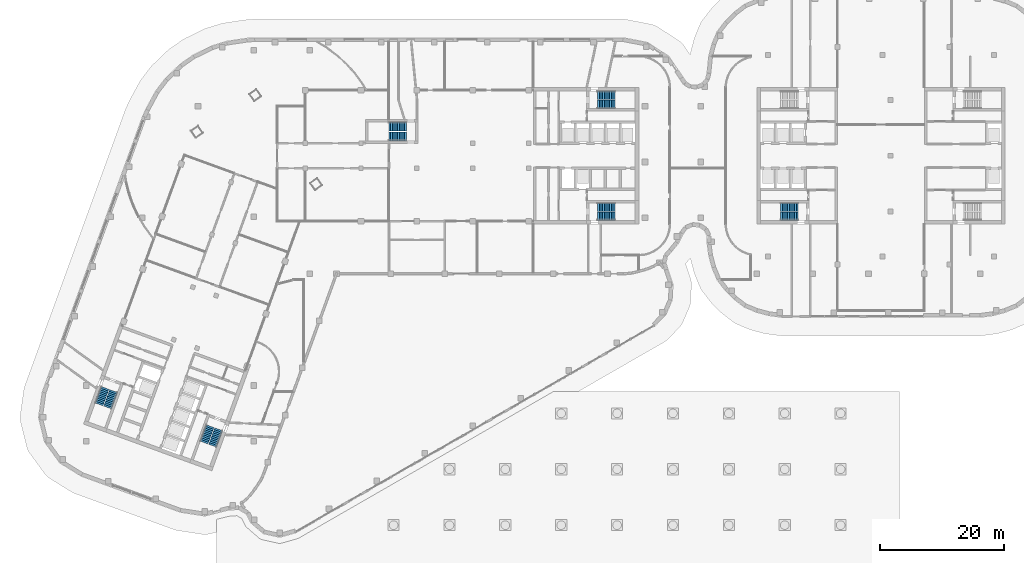
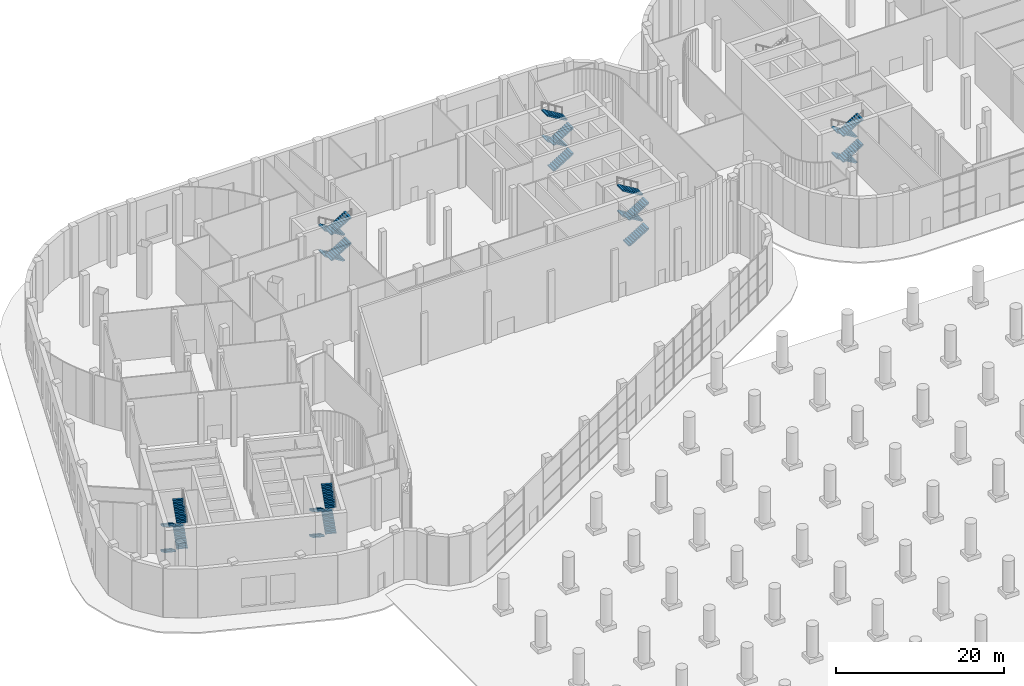
# One storey, part 25 of 30: 24 stair flights, 6 elements without a shape of their own.
"""IFC4 building model written with IfcOpenShell, lengths in metres."""

from ifc_helpers import new_model, si_unit, direction, frame, origin, place, context, subcontext, project, spatial, polyline, outline, extrude, material, type_object, element, aggregate, save


model = new_model("IFC4")

# Units and contexts
model_context = context("Model", 3, precision=1e-05, world=origin(), true_north=direction((0.0, 1.0)))
body_context = subcontext(model_context, "Body", "Model", "MODEL_VIEW")
ifc_project = project(units=[si_unit("LENGTHUNIT", "METRE"), si_unit("AREAUNIT", "SQUARE_METRE"), si_unit("VOLUMEUNIT", "CUBIC_METRE"), si_unit("PLANEANGLEUNIT", "RADIAN"), si_unit("MASSUNIT", "GRAM", prefix="KILO")], contexts=[model_context])

# Site, building, storey
site_placement = place(None, origin())
site = spatial("IfcSite", under=ifc_project, at=site_placement, CompositionType="ELEMENT")
building_placement = place(site_placement, origin())
building = spatial("IfcBuilding", under=site, at=building_placement, Name="Skarvind Civic Tower", CompositionType="ELEMENT")
storey_placement = place(building_placement, origin())
storey = spatial("IfcBuildingStorey", under=building, at=storey_placement, Name="L00", CompositionType="ELEMENT", Elevation=0.0)

# Stair, stair flights
ifc_material = material(Name="Concrete C40/50", Category="concrete")
stair_type_1 = type_object("IfcStairType", Name="Exit stair 1450, half-turn, concrete", PredefinedType="HALF_TURN_STAIR", material=ifc_material)
stair_1_placement = place(storey_placement, origin())
stair_1 = element("IfcStair", 1, at=stair_1_placement, inside=storey, type_object=stair_type_1, Name="Exit stair CM", PredefinedType="HALF_TURN_STAIR")
stair_flight_type_1 = type_object("IfcStairFlightType", Name="Stair flight 1450, concrete", PredefinedType="STRAIGHT", material=ifc_material)
stair_flight_1_placement = place(storey_placement, frame((70.550048828125, 132.675048828125, 0.0), z_axis=(0.0, 0.0, 1.0), x_axis=(-1.0, 0.0, 0.0)))
stair_flight_1 = element("IfcStairFlight", 2, at=stair_flight_1_placement, type_object=stair_flight_type_1, Name="ST-CM flight 1", NumberOfRisers=11, NumberOfTreads=10, PredefinedType="STRAIGHT", RiserHeight=0.170454545, TreadLength=0.28, context=body_context, shape_type="SweptSolid", body=[
    extrude(outline(polyline([(0.0, 0.0), (0.0, 0.17041015625), (0.280029296875, 0.17041015625), (0.280029296875, 0.3408203125), (0.56005859375, 0.3408203125), (0.56005859375, 0.511474609375), (0.840087890625, 0.511474609375), (0.840087890625, 0.681884765625), (1.1201171875, 0.681884765625), (1.1201171875, 0.852294921875), (1.39990234375, 0.852294921875), (1.39990234375, 1.022705078125), (1.679931640625, 1.022705078125), (1.679931640625, 1.193115234375), (1.9599609375, 1.193115234375), (1.9599609375, 1.363525390625), (2.239990234375, 1.363525390625), (2.239990234375, 1.5341796875), (2.52001953125, 1.5341796875), (2.52001953125, 1.70458984375), (2.800048828125, 1.70458984375), (2.800048828125, 1.875), (2.800048828125, 1.529052734375), (0.288330078125, 0.0), (0.0, 0.0)])), frame((0.0, 0.72509765625, 0.0), z_axis=(0.0, -1.0, 0.0), x_axis=(1.0, 0.0, 0.0)), (0.0, 0.0, 1.0), 1.449951171875),
])
stair_flight_2_placement = place(storey_placement, frame((67.75, 131.125, 1.875), z_axis=(0.0, 0.0, 1.0), x_axis=(1.0, 0.0, 0.0)))
stair_flight_2 = element("IfcStairFlight", 3, at=stair_flight_2_placement, type_object=stair_flight_type_1, Name="ST-CM flight 2", NumberOfRisers=11, NumberOfTreads=10, PredefinedType="STRAIGHT", RiserHeight=0.170454545, TreadLength=0.28, context=body_context, shape_type="SweptSolid", body=[
    extrude(outline(polyline([(0.0, 0.0), (0.0, 0.17041015625), (0.280029296875, 0.17041015625), (0.280029296875, 0.3408203125), (0.56005859375, 0.3408203125), (0.56005859375, 0.511474609375), (0.840087890625, 0.511474609375), (0.840087890625, 0.681884765625), (1.1201171875, 0.681884765625), (1.1201171875, 0.852294921875), (1.39990234375, 0.852294921875), (1.39990234375, 1.022705078125), (1.679931640625, 1.022705078125), (1.679931640625, 1.193115234375), (1.9599609375, 1.193115234375), (1.9599609375, 1.363525390625), (2.239990234375, 1.363525390625), (2.239990234375, 1.5341796875), (2.52001953125, 1.5341796875), (2.52001953125, 1.70458984375), (2.800048828125, 1.70458984375), (2.800048828125, 1.875), (2.800048828125, 1.529052734375), (0.288330078125, 0.0), (0.0, 0.0)])), frame((0.0, 0.72509765625, 0.0), z_axis=(0.0, -1.0, 0.0), x_axis=(1.0, 0.0, 0.0)), (0.0, 0.0, 1.0), 1.449951171875),
])
stair_flight_3_placement = place(storey_placement, frame((70.550048828125, 132.675048828125, 3.75), z_axis=(0.0, 0.0, 1.0), x_axis=(-1.0, 0.0, 0.0)))
stair_flight_3 = element("IfcStairFlight", 4, at=stair_flight_3_placement, type_object=stair_flight_type_1, Name="ST-CM flight 3", NumberOfRisers=11, NumberOfTreads=10, PredefinedType="STRAIGHT", RiserHeight=0.170454545, TreadLength=0.28, context=body_context, shape_type="SweptSolid", body=[
    extrude(outline(polyline([(0.0, 0.0), (0.0, 0.17041015625), (0.280029296875, 0.17041015625), (0.280029296875, 0.3408203125), (0.56005859375, 0.3408203125), (0.56005859375, 0.511474609375), (0.840087890625, 0.511474609375), (0.840087890625, 0.681884765625), (1.1201171875, 0.681884765625), (1.1201171875, 0.852294921875), (1.39990234375, 0.852294921875), (1.39990234375, 1.022705078125), (1.679931640625, 1.022705078125), (1.679931640625, 1.193115234375), (1.9599609375, 1.193115234375), (1.9599609375, 1.363525390625), (2.239990234375, 1.363525390625), (2.239990234375, 1.5341796875), (2.52001953125, 1.5341796875), (2.52001953125, 1.70458984375), (2.800048828125, 1.70458984375), (2.800048828125, 1.875), (2.800048828125, 1.529052734375), (0.288330078125, 0.0), (0.0, 0.0)])), frame((0.0, 0.72509765625, 0.0), z_axis=(0.0, -1.0, 0.0), x_axis=(1.0, 0.0, 0.0)), (0.0, 0.0, 1.0), 1.449951171875),
])
stair_flight_4_placement = place(storey_placement, frame((67.75, 131.125, 5.625), z_axis=(0.0, 0.0, 1.0), x_axis=(1.0, 0.0, 0.0)))
stair_flight_4 = element("IfcStairFlight", 5, at=stair_flight_4_placement, type_object=stair_flight_type_1, Name="ST-CM flight 4", NumberOfRisers=11, NumberOfTreads=10, PredefinedType="STRAIGHT", RiserHeight=0.170454545, TreadLength=0.28, context=body_context, shape_type="SweptSolid", body=[
    extrude(outline(polyline([(0.0, 0.0), (0.0, 0.17041015625), (0.280029296875, 0.17041015625), (0.280029296875, 0.3408203125), (0.56005859375, 0.3408203125), (0.56005859375, 0.511474609375), (0.840087890625, 0.511474609375), (0.840087890625, 0.681884765625), (1.1201171875, 0.681884765625), (1.1201171875, 0.852294921875), (1.39990234375, 0.852294921875), (1.39990234375, 1.022705078125), (1.679931640625, 1.022705078125), (1.679931640625, 1.193115234375), (1.9599609375, 1.193115234375), (1.9599609375, 1.363525390625), (2.239990234375, 1.363525390625), (2.239990234375, 1.5341796875), (2.52001953125, 1.5341796875), (2.52001953125, 1.70458984375), (2.800048828125, 1.70458984375), (2.800048828125, 1.875), (2.800048828125, 1.529052734375), (0.288330078125, 0.0), (0.0, 0.0)])), frame((0.0, 0.72509765625, 0.0), z_axis=(0.0, -1.0, 0.0), x_axis=(1.0, 0.0, 0.0)), (0.0, 0.0, 1.0), 1.449951171875),
])
aggregate(stair_1, [stair_flight_1, stair_flight_2, stair_flight_3, stair_flight_4])

stair_type_2 = type_object("IfcStairType", Name="Exit stair, half-turn, concrete", PredefinedType="HALF_TURN_STAIR", material=ifc_material)
stair_2_placement = place(storey_placement, origin())
stair_2 = element("IfcStair", 6, at=stair_2_placement, inside=storey, type_object=stair_type_2, Name="Exit stair C1S", PredefinedType="HALF_TURN_STAIR")
stair_flight_type_2 = type_object("IfcStairFlightType", Name="Stair flight, concrete", PredefinedType="STRAIGHT", material=ifc_material)
stair_flight_5_placement = place(storey_placement, frame((101.35009765625, 136.27490234375, 0.0), z_axis=(0.0, 0.0, 1.0), x_axis=(1.0, 0.0, 0.0)))
stair_flight_5 = element("IfcStairFlight", 7, at=stair_flight_5_placement, type_object=stair_flight_type_2, Name="ST-C1S flight 1", NumberOfRisers=11, NumberOfTreads=10, PredefinedType="STRAIGHT", RiserHeight=0.170454545, TreadLength=0.28, context=body_context, shape_type="SweptSolid", body=[
    extrude(outline(polyline([(0.0, 0.0), (0.0, 0.17041015625), (0.280029296875, 0.17041015625), (0.280029296875, 0.3408203125), (0.56005859375, 0.3408203125), (0.56005859375, 0.511474609375), (0.840087890625, 0.511474609375), (0.840087890625, 0.681884765625), (1.1201171875, 0.681884765625), (1.1201171875, 0.852294921875), (1.39990234375, 0.852294921875), (1.39990234375, 1.022705078125), (1.679931640625, 1.022705078125), (1.679931640625, 1.193115234375), (1.9599609375, 1.193115234375), (1.9599609375, 1.363525390625), (2.239990234375, 1.363525390625), (2.239990234375, 1.5341796875), (2.52001953125, 1.5341796875), (2.52001953125, 1.70458984375), (2.800048828125, 1.70458984375), (2.800048828125, 1.875), (2.800048828125, 1.529052734375), (0.288330078125, 0.0), (0.0, 0.0)])), frame((0.0, 0.675048828125, 0.0), z_axis=(0.0, -1.0, 0.0), x_axis=(1.0, 0.0, 0.0)), (0.0, 0.0, 1.0), 1.35009765625),
])
stair_flight_6_placement = place(storey_placement, frame((104.14990234375, 137.72509765625, 1.875), z_axis=(0.0, 0.0, 1.0), x_axis=(-1.0, 0.0, 0.0)))
stair_flight_6 = element("IfcStairFlight", 8, at=stair_flight_6_placement, type_object=stair_flight_type_2, Name="ST-C1S flight 2", NumberOfRisers=11, NumberOfTreads=10, PredefinedType="STRAIGHT", RiserHeight=0.170454545, TreadLength=0.28, context=body_context, shape_type="SweptSolid", body=[
    extrude(outline(polyline([(0.0, 0.0), (0.0, 0.17041015625), (0.280029296875, 0.17041015625), (0.280029296875, 0.3408203125), (0.56005859375, 0.3408203125), (0.56005859375, 0.511474609375), (0.840087890625, 0.511474609375), (0.840087890625, 0.681884765625), (1.1201171875, 0.681884765625), (1.1201171875, 0.852294921875), (1.39990234375, 0.852294921875), (1.39990234375, 1.022705078125), (1.679931640625, 1.022705078125), (1.679931640625, 1.193115234375), (1.9599609375, 1.193115234375), (1.9599609375, 1.363525390625), (2.239990234375, 1.363525390625), (2.239990234375, 1.5341796875), (2.52001953125, 1.5341796875), (2.52001953125, 1.70458984375), (2.800048828125, 1.70458984375), (2.800048828125, 1.875), (2.800048828125, 1.529052734375), (0.288330078125, 0.0), (0.0, 0.0)])), frame((0.0, 0.675048828125, 0.0), z_axis=(0.0, -1.0, 0.0), x_axis=(1.0, 0.0, 0.0)), (0.0, 0.0, 1.0), 1.35009765625),
])
stair_flight_7_placement = place(storey_placement, frame((101.35009765625, 136.27490234375, 3.75), z_axis=(0.0, 0.0, 1.0), x_axis=(1.0, 0.0, 0.0)))
stair_flight_7 = element("IfcStairFlight", 9, at=stair_flight_7_placement, type_object=stair_flight_type_2, Name="ST-C1S flight 3", NumberOfRisers=11, NumberOfTreads=10, PredefinedType="STRAIGHT", RiserHeight=0.170454545, TreadLength=0.28, context=body_context, shape_type="SweptSolid", body=[
    extrude(outline(polyline([(0.0, 0.0), (0.0, 0.17041015625), (0.280029296875, 0.17041015625), (0.280029296875, 0.3408203125), (0.56005859375, 0.3408203125), (0.56005859375, 0.511474609375), (0.840087890625, 0.511474609375), (0.840087890625, 0.681884765625), (1.1201171875, 0.681884765625), (1.1201171875, 0.852294921875), (1.39990234375, 0.852294921875), (1.39990234375, 1.022705078125), (1.679931640625, 1.022705078125), (1.679931640625, 1.193115234375), (1.9599609375, 1.193115234375), (1.9599609375, 1.363525390625), (2.239990234375, 1.363525390625), (2.239990234375, 1.5341796875), (2.52001953125, 1.5341796875), (2.52001953125, 1.70458984375), (2.800048828125, 1.70458984375), (2.800048828125, 1.875), (2.800048828125, 1.529052734375), (0.288330078125, 0.0), (0.0, 0.0)])), frame((0.0, 0.675048828125, 0.0), z_axis=(0.0, -1.0, 0.0), x_axis=(1.0, 0.0, 0.0)), (0.0, 0.0, 1.0), 1.35009765625),
])
stair_flight_8_placement = place(storey_placement, frame((104.14990234375, 137.72509765625, 5.625), z_axis=(0.0, 0.0, 1.0), x_axis=(-1.0, 0.0, 0.0)))
stair_flight_8 = element("IfcStairFlight", 10, at=stair_flight_8_placement, type_object=stair_flight_type_2, Name="ST-C1S flight 4", NumberOfRisers=11, NumberOfTreads=10, PredefinedType="STRAIGHT", RiserHeight=0.170454545, TreadLength=0.28, context=body_context, shape_type="SweptSolid", body=[
    extrude(outline(polyline([(0.0, 0.0), (0.0, 0.17041015625), (0.280029296875, 0.17041015625), (0.280029296875, 0.3408203125), (0.56005859375, 0.3408203125), (0.56005859375, 0.511474609375), (0.840087890625, 0.511474609375), (0.840087890625, 0.681884765625), (1.1201171875, 0.681884765625), (1.1201171875, 0.852294921875), (1.39990234375, 0.852294921875), (1.39990234375, 1.022705078125), (1.679931640625, 1.022705078125), (1.679931640625, 1.193115234375), (1.9599609375, 1.193115234375), (1.9599609375, 1.363525390625), (2.239990234375, 1.363525390625), (2.239990234375, 1.5341796875), (2.52001953125, 1.5341796875), (2.52001953125, 1.70458984375), (2.800048828125, 1.70458984375), (2.800048828125, 1.875), (2.800048828125, 1.529052734375), (0.288330078125, 0.0), (0.0, 0.0)])), frame((0.0, 0.675048828125, 0.0), z_axis=(0.0, -1.0, 0.0), x_axis=(1.0, 0.0, 0.0)), (0.0, 0.0, 1.0), 1.35009765625),
])
aggregate(stair_2, [stair_flight_5, stair_flight_6, stair_flight_7, stair_flight_8])

stair_3_placement = place(storey_placement, origin())
stair_3 = element("IfcStair", 11, at=stair_3_placement, inside=storey, type_object=stair_type_2, Name="Exit stair C1N", PredefinedType="HALF_TURN_STAIR")
stair_flight_9_placement = place(storey_placement, frame((101.35009765625, 118.27490234375, 0.0), z_axis=(0.0, 0.0, 1.0), x_axis=(1.0, 0.0, 0.0)))
stair_flight_9 = element("IfcStairFlight", 12, at=stair_flight_9_placement, type_object=stair_flight_type_2, Name="ST-C1N flight 1", NumberOfRisers=11, NumberOfTreads=10, PredefinedType="STRAIGHT", RiserHeight=0.170454545, TreadLength=0.28, context=body_context, shape_type="SweptSolid", body=[
    extrude(outline(polyline([(0.0, 0.0), (0.0, 0.17041015625), (0.280029296875, 0.17041015625), (0.280029296875, 0.3408203125), (0.56005859375, 0.3408203125), (0.56005859375, 0.511474609375), (0.840087890625, 0.511474609375), (0.840087890625, 0.681884765625), (1.1201171875, 0.681884765625), (1.1201171875, 0.852294921875), (1.39990234375, 0.852294921875), (1.39990234375, 1.022705078125), (1.679931640625, 1.022705078125), (1.679931640625, 1.193115234375), (1.9599609375, 1.193115234375), (1.9599609375, 1.363525390625), (2.239990234375, 1.363525390625), (2.239990234375, 1.5341796875), (2.52001953125, 1.5341796875), (2.52001953125, 1.70458984375), (2.800048828125, 1.70458984375), (2.800048828125, 1.875), (2.800048828125, 1.529052734375), (0.288330078125, 0.0), (0.0, 0.0)])), frame((0.0, 0.675048828125, 0.0), z_axis=(0.0, -1.0, 0.0), x_axis=(1.0, 0.0, 0.0)), (0.0, 0.0, 1.0), 1.35009765625),
])
stair_flight_10_placement = place(storey_placement, frame((104.14990234375, 119.72509765625, 1.875), z_axis=(0.0, 0.0, 1.0), x_axis=(-1.0, 0.0, 0.0)))
stair_flight_10 = element("IfcStairFlight", 13, at=stair_flight_10_placement, type_object=stair_flight_type_2, Name="ST-C1N flight 2", NumberOfRisers=11, NumberOfTreads=10, PredefinedType="STRAIGHT", RiserHeight=0.170454545, TreadLength=0.28, context=body_context, shape_type="SweptSolid", body=[
    extrude(outline(polyline([(0.0, 0.0), (0.0, 0.17041015625), (0.280029296875, 0.17041015625), (0.280029296875, 0.3408203125), (0.56005859375, 0.3408203125), (0.56005859375, 0.511474609375), (0.840087890625, 0.511474609375), (0.840087890625, 0.681884765625), (1.1201171875, 0.681884765625), (1.1201171875, 0.852294921875), (1.39990234375, 0.852294921875), (1.39990234375, 1.022705078125), (1.679931640625, 1.022705078125), (1.679931640625, 1.193115234375), (1.9599609375, 1.193115234375), (1.9599609375, 1.363525390625), (2.239990234375, 1.363525390625), (2.239990234375, 1.5341796875), (2.52001953125, 1.5341796875), (2.52001953125, 1.70458984375), (2.800048828125, 1.70458984375), (2.800048828125, 1.875), (2.800048828125, 1.529052734375), (0.288330078125, 0.0), (0.0, 0.0)])), frame((0.0, 0.675048828125, 0.0), z_axis=(0.0, -1.0, 0.0), x_axis=(1.0, 0.0, 0.0)), (0.0, 0.0, 1.0), 1.35009765625),
])
stair_flight_11_placement = place(storey_placement, frame((101.35009765625, 118.27490234375, 3.75), z_axis=(0.0, 0.0, 1.0), x_axis=(1.0, 0.0, 0.0)))
stair_flight_11 = element("IfcStairFlight", 14, at=stair_flight_11_placement, type_object=stair_flight_type_2, Name="ST-C1N flight 3", NumberOfRisers=11, NumberOfTreads=10, PredefinedType="STRAIGHT", RiserHeight=0.170454545, TreadLength=0.28, context=body_context, shape_type="SweptSolid", body=[
    extrude(outline(polyline([(0.0, 0.0), (0.0, 0.17041015625), (0.280029296875, 0.17041015625), (0.280029296875, 0.3408203125), (0.56005859375, 0.3408203125), (0.56005859375, 0.511474609375), (0.840087890625, 0.511474609375), (0.840087890625, 0.681884765625), (1.1201171875, 0.681884765625), (1.1201171875, 0.852294921875), (1.39990234375, 0.852294921875), (1.39990234375, 1.022705078125), (1.679931640625, 1.022705078125), (1.679931640625, 1.193115234375), (1.9599609375, 1.193115234375), (1.9599609375, 1.363525390625), (2.239990234375, 1.363525390625), (2.239990234375, 1.5341796875), (2.52001953125, 1.5341796875), (2.52001953125, 1.70458984375), (2.800048828125, 1.70458984375), (2.800048828125, 1.875), (2.800048828125, 1.529052734375), (0.288330078125, 0.0), (0.0, 0.0)])), frame((0.0, 0.675048828125, 0.0), z_axis=(0.0, -1.0, 0.0), x_axis=(1.0, 0.0, 0.0)), (0.0, 0.0, 1.0), 1.35009765625),
])
stair_flight_12_placement = place(storey_placement, frame((104.14990234375, 119.72509765625, 5.625), z_axis=(0.0, 0.0, 1.0), x_axis=(-1.0, 0.0, 0.0)))
stair_flight_12 = element("IfcStairFlight", 15, at=stair_flight_12_placement, type_object=stair_flight_type_2, Name="ST-C1N flight 4", NumberOfRisers=11, NumberOfTreads=10, PredefinedType="STRAIGHT", RiserHeight=0.170454545, TreadLength=0.28, context=body_context, shape_type="SweptSolid", body=[
    extrude(outline(polyline([(0.0, 0.0), (0.0, 0.17041015625), (0.280029296875, 0.17041015625), (0.280029296875, 0.3408203125), (0.56005859375, 0.3408203125), (0.56005859375, 0.511474609375), (0.840087890625, 0.511474609375), (0.840087890625, 0.681884765625), (1.1201171875, 0.681884765625), (1.1201171875, 0.852294921875), (1.39990234375, 0.852294921875), (1.39990234375, 1.022705078125), (1.679931640625, 1.022705078125), (1.679931640625, 1.193115234375), (1.9599609375, 1.193115234375), (1.9599609375, 1.363525390625), (2.239990234375, 1.363525390625), (2.239990234375, 1.5341796875), (2.52001953125, 1.5341796875), (2.52001953125, 1.70458984375), (2.800048828125, 1.70458984375), (2.800048828125, 1.875), (2.800048828125, 1.529052734375), (0.288330078125, 0.0), (0.0, 0.0)])), frame((0.0, 0.675048828125, 0.0), z_axis=(0.0, -1.0, 0.0), x_axis=(1.0, 0.0, 0.0)), (0.0, 0.0, 1.0), 1.35009765625),
])
aggregate(stair_3, [stair_flight_9, stair_flight_10, stair_flight_11, stair_flight_12])

stair_4_placement = place(storey_placement, origin())
stair_4 = element("IfcStair", 16, at=stair_4_placement, inside=storey, type_object=stair_type_2, Name="Exit stair C2S", PredefinedType="HALF_TURN_STAIR")
stair_flight_13_placement = place(storey_placement, frame((38.949462890625, 84.43408203125, 0.0), z_axis=(0.0, 0.0, 1.0), x_axis=(-0.342020143326, -0.939692620786, 0.0)))
stair_flight_13 = element("IfcStairFlight", 17, at=stair_flight_13_placement, type_object=stair_flight_type_2, Name="ST-C2S flight 1", NumberOfRisers=11, NumberOfTreads=10, PredefinedType="STRAIGHT", RiserHeight=0.170454545, TreadLength=0.28, context=body_context, shape_type="SweptSolid", body=[
    extrude(outline(polyline([(0.0, 0.0), (0.0, 0.17041015625), (0.280029296875, 0.17041015625), (0.280029296875, 0.3408203125), (0.56005859375, 0.3408203125), (0.56005859375, 0.511474609375), (0.840087890625, 0.511474609375), (0.840087890625, 0.681884765625), (1.1201171875, 0.681884765625), (1.1201171875, 0.852294921875), (1.39990234375, 0.852294921875), (1.39990234375, 1.022705078125), (1.679931640625, 1.022705078125), (1.679931640625, 1.193115234375), (1.9599609375, 1.193115234375), (1.9599609375, 1.363525390625), (2.239990234375, 1.363525390625), (2.239990234375, 1.5341796875), (2.52001953125, 1.5341796875), (2.52001953125, 1.70458984375), (2.800048828125, 1.70458984375), (2.800048828125, 1.875), (2.800048828125, 1.529052734375), (0.288330078125, 0.0), (0.0, 0.0)])), frame((0.0, 0.675048828125, 0.0), z_axis=(0.0, -1.0, 0.0), x_axis=(1.0, 0.0, 0.0)), (0.0, 0.0, 1.0), 1.35009765625),
])
stair_flight_14_placement = place(storey_placement, frame((39.354248046875, 81.30712890625, 1.875), z_axis=(0.0, 0.0, 1.0), x_axis=(0.342020143326, 0.939692620786, 0.0)))
stair_flight_14 = element("IfcStairFlight", 18, at=stair_flight_14_placement, type_object=stair_flight_type_2, Name="ST-C2S flight 2", NumberOfRisers=11, NumberOfTreads=10, PredefinedType="STRAIGHT", RiserHeight=0.170454545, TreadLength=0.28, context=body_context, shape_type="SweptSolid", body=[
    extrude(outline(polyline([(0.0, 0.0), (0.0, 0.17041015625), (0.280029296875, 0.17041015625), (0.280029296875, 0.3408203125), (0.56005859375, 0.3408203125), (0.56005859375, 0.511474609375), (0.840087890625, 0.511474609375), (0.840087890625, 0.681884765625), (1.1201171875, 0.681884765625), (1.1201171875, 0.852294921875), (1.39990234375, 0.852294921875), (1.39990234375, 1.022705078125), (1.679931640625, 1.022705078125), (1.679931640625, 1.193115234375), (1.9599609375, 1.193115234375), (1.9599609375, 1.363525390625), (2.239990234375, 1.363525390625), (2.239990234375, 1.5341796875), (2.52001953125, 1.5341796875), (2.52001953125, 1.70458984375), (2.800048828125, 1.70458984375), (2.800048828125, 1.875), (2.800048828125, 1.529052734375), (0.288330078125, 0.0), (0.0, 0.0)])), frame((0.0, 0.675048828125, 0.0), z_axis=(0.0, -1.0, 0.0), x_axis=(1.0, 0.0, 0.0)), (0.0, 0.0, 1.0), 1.35009765625),
])
stair_flight_15_placement = place(storey_placement, frame((38.949462890625, 84.43408203125, 3.75), z_axis=(0.0, 0.0, 1.0), x_axis=(-0.342020143326, -0.939692620786, 0.0)))
stair_flight_15 = element("IfcStairFlight", 19, at=stair_flight_15_placement, type_object=stair_flight_type_2, Name="ST-C2S flight 3", NumberOfRisers=11, NumberOfTreads=10, PredefinedType="STRAIGHT", RiserHeight=0.170454545, TreadLength=0.28, context=body_context, shape_type="SweptSolid", body=[
    extrude(outline(polyline([(0.0, 0.0), (0.0, 0.17041015625), (0.280029296875, 0.17041015625), (0.280029296875, 0.3408203125), (0.56005859375, 0.3408203125), (0.56005859375, 0.511474609375), (0.840087890625, 0.511474609375), (0.840087890625, 0.681884765625), (1.1201171875, 0.681884765625), (1.1201171875, 0.852294921875), (1.39990234375, 0.852294921875), (1.39990234375, 1.022705078125), (1.679931640625, 1.022705078125), (1.679931640625, 1.193115234375), (1.9599609375, 1.193115234375), (1.9599609375, 1.363525390625), (2.239990234375, 1.363525390625), (2.239990234375, 1.5341796875), (2.52001953125, 1.5341796875), (2.52001953125, 1.70458984375), (2.800048828125, 1.70458984375), (2.800048828125, 1.875), (2.800048828125, 1.529052734375), (0.288330078125, 0.0), (0.0, 0.0)])), frame((0.0, 0.675048828125, 0.0), z_axis=(0.0, -1.0, 0.0), x_axis=(1.0, 0.0, 0.0)), (0.0, 0.0, 1.0), 1.35009765625),
])
stair_flight_16_placement = place(storey_placement, frame((39.354248046875, 81.30712890625, 5.625), z_axis=(0.0, 0.0, 1.0), x_axis=(0.342020143326, 0.939692620786, 0.0)))
stair_flight_16 = element("IfcStairFlight", 20, at=stair_flight_16_placement, type_object=stair_flight_type_2, Name="ST-C2S flight 4", NumberOfRisers=11, NumberOfTreads=10, PredefinedType="STRAIGHT", RiserHeight=0.170454545, TreadLength=0.28, context=body_context, shape_type="SweptSolid", body=[
    extrude(outline(polyline([(0.0, 0.0), (0.0, 0.17041015625), (0.280029296875, 0.17041015625), (0.280029296875, 0.3408203125), (0.56005859375, 0.3408203125), (0.56005859375, 0.511474609375), (0.840087890625, 0.511474609375), (0.840087890625, 0.681884765625), (1.1201171875, 0.681884765625), (1.1201171875, 0.852294921875), (1.39990234375, 0.852294921875), (1.39990234375, 1.022705078125), (1.679931640625, 1.022705078125), (1.679931640625, 1.193115234375), (1.9599609375, 1.193115234375), (1.9599609375, 1.363525390625), (2.239990234375, 1.363525390625), (2.239990234375, 1.5341796875), (2.52001953125, 1.5341796875), (2.52001953125, 1.70458984375), (2.800048828125, 1.70458984375), (2.800048828125, 1.875), (2.800048828125, 1.529052734375), (0.288330078125, 0.0), (0.0, 0.0)])), frame((0.0, 0.675048828125, 0.0), z_axis=(0.0, -1.0, 0.0), x_axis=(1.0, 0.0, 0.0)), (0.0, 0.0, 1.0), 1.35009765625),
])
aggregate(stair_4, [stair_flight_13, stair_flight_14, stair_flight_15, stair_flight_16])

stair_5_placement = place(storey_placement, origin())
stair_5 = element("IfcStair", 21, at=stair_5_placement, inside=storey, type_object=stair_type_2, Name="Exit stair C2N", PredefinedType="HALF_TURN_STAIR")
stair_flight_17_placement = place(storey_placement, frame((22.034912109375, 90.590576171875, 0.0), z_axis=(0.0, 0.0, 1.0), x_axis=(-0.342020143326, -0.939692620786, 0.0)))
stair_flight_17 = element("IfcStairFlight", 22, at=stair_flight_17_placement, type_object=stair_flight_type_2, Name="ST-C2N flight 1", NumberOfRisers=11, NumberOfTreads=10, PredefinedType="STRAIGHT", RiserHeight=0.170454545, TreadLength=0.28, context=body_context, shape_type="SweptSolid", body=[
    extrude(outline(polyline([(0.0, 0.0), (0.0, 0.17041015625), (0.280029296875, 0.17041015625), (0.280029296875, 0.3408203125), (0.56005859375, 0.3408203125), (0.56005859375, 0.511474609375), (0.840087890625, 0.511474609375), (0.840087890625, 0.681884765625), (1.1201171875, 0.681884765625), (1.1201171875, 0.852294921875), (1.39990234375, 0.852294921875), (1.39990234375, 1.022705078125), (1.679931640625, 1.022705078125), (1.679931640625, 1.193115234375), (1.9599609375, 1.193115234375), (1.9599609375, 1.363525390625), (2.239990234375, 1.363525390625), (2.239990234375, 1.5341796875), (2.52001953125, 1.5341796875), (2.52001953125, 1.70458984375), (2.800048828125, 1.70458984375), (2.800048828125, 1.875), (2.800048828125, 1.529052734375), (0.288330078125, 0.0), (0.0, 0.0)])), frame((0.0, 0.675048828125, 0.0), z_axis=(0.0, -1.0, 0.0), x_axis=(1.0, 0.0, 0.0)), (0.0, 0.0, 1.0), 1.35009765625),
])
stair_flight_18_placement = place(storey_placement, frame((22.439697265625, 87.46337890625, 1.875), z_axis=(0.0, 0.0, 1.0), x_axis=(0.342020143326, 0.939692620786, 0.0)))
stair_flight_18 = element("IfcStairFlight", 23, at=stair_flight_18_placement, type_object=stair_flight_type_2, Name="ST-C2N flight 2", NumberOfRisers=11, NumberOfTreads=10, PredefinedType="STRAIGHT", RiserHeight=0.170454545, TreadLength=0.28, context=body_context, shape_type="SweptSolid", body=[
    extrude(outline(polyline([(0.0, 0.0), (0.0, 0.17041015625), (0.280029296875, 0.17041015625), (0.280029296875, 0.3408203125), (0.56005859375, 0.3408203125), (0.56005859375, 0.511474609375), (0.840087890625, 0.511474609375), (0.840087890625, 0.681884765625), (1.1201171875, 0.681884765625), (1.1201171875, 0.852294921875), (1.39990234375, 0.852294921875), (1.39990234375, 1.022705078125), (1.679931640625, 1.022705078125), (1.679931640625, 1.193115234375), (1.9599609375, 1.193115234375), (1.9599609375, 1.363525390625), (2.239990234375, 1.363525390625), (2.239990234375, 1.5341796875), (2.52001953125, 1.5341796875), (2.52001953125, 1.70458984375), (2.800048828125, 1.70458984375), (2.800048828125, 1.875), (2.800048828125, 1.529052734375), (0.288330078125, 0.0), (0.0, 0.0)])), frame((0.0, 0.675048828125, 0.0), z_axis=(0.0, -1.0, 0.0), x_axis=(1.0, 0.0, 0.0)), (0.0, 0.0, 1.0), 1.35009765625),
])
stair_flight_19_placement = place(storey_placement, frame((22.034912109375, 90.590576171875, 3.75), z_axis=(0.0, 0.0, 1.0), x_axis=(-0.342020143326, -0.939692620786, 0.0)))
stair_flight_19 = element("IfcStairFlight", 24, at=stair_flight_19_placement, type_object=stair_flight_type_2, Name="ST-C2N flight 3", NumberOfRisers=11, NumberOfTreads=10, PredefinedType="STRAIGHT", RiserHeight=0.170454545, TreadLength=0.28, context=body_context, shape_type="SweptSolid", body=[
    extrude(outline(polyline([(0.0, 0.0), (0.0, 0.17041015625), (0.280029296875, 0.17041015625), (0.280029296875, 0.3408203125), (0.56005859375, 0.3408203125), (0.56005859375, 0.511474609375), (0.840087890625, 0.511474609375), (0.840087890625, 0.681884765625), (1.1201171875, 0.681884765625), (1.1201171875, 0.852294921875), (1.39990234375, 0.852294921875), (1.39990234375, 1.022705078125), (1.679931640625, 1.022705078125), (1.679931640625, 1.193115234375), (1.9599609375, 1.193115234375), (1.9599609375, 1.363525390625), (2.239990234375, 1.363525390625), (2.239990234375, 1.5341796875), (2.52001953125, 1.5341796875), (2.52001953125, 1.70458984375), (2.800048828125, 1.70458984375), (2.800048828125, 1.875), (2.800048828125, 1.529052734375), (0.288330078125, 0.0), (0.0, 0.0)])), frame((0.0, 0.675048828125, 0.0), z_axis=(0.0, -1.0, 0.0), x_axis=(1.0, 0.0, 0.0)), (0.0, 0.0, 1.0), 1.35009765625),
])
stair_flight_20_placement = place(storey_placement, frame((22.439697265625, 87.46337890625, 5.625), z_axis=(0.0, 0.0, 1.0), x_axis=(0.342020143326, 0.939692620786, 0.0)))
stair_flight_20 = element("IfcStairFlight", 25, at=stair_flight_20_placement, type_object=stair_flight_type_2, Name="ST-C2N flight 4", NumberOfRisers=11, NumberOfTreads=10, PredefinedType="STRAIGHT", RiserHeight=0.170454545, TreadLength=0.28, context=body_context, shape_type="SweptSolid", body=[
    extrude(outline(polyline([(0.0, 0.0), (0.0, 0.17041015625), (0.280029296875, 0.17041015625), (0.280029296875, 0.3408203125), (0.56005859375, 0.3408203125), (0.56005859375, 0.511474609375), (0.840087890625, 0.511474609375), (0.840087890625, 0.681884765625), (1.1201171875, 0.681884765625), (1.1201171875, 0.852294921875), (1.39990234375, 0.852294921875), (1.39990234375, 1.022705078125), (1.679931640625, 1.022705078125), (1.679931640625, 1.193115234375), (1.9599609375, 1.193115234375), (1.9599609375, 1.363525390625), (2.239990234375, 1.363525390625), (2.239990234375, 1.5341796875), (2.52001953125, 1.5341796875), (2.52001953125, 1.70458984375), (2.800048828125, 1.70458984375), (2.800048828125, 1.875), (2.800048828125, 1.529052734375), (0.288330078125, 0.0), (0.0, 0.0)])), frame((0.0, 0.675048828125, 0.0), z_axis=(0.0, -1.0, 0.0), x_axis=(1.0, 0.0, 0.0)), (0.0, 0.0, 1.0), 1.35009765625),
])
aggregate(stair_5, [stair_flight_17, stair_flight_18, stair_flight_19, stair_flight_20])

stair_6_placement = place(storey_placement, origin())
stair_6 = element("IfcStair", 26, at=stair_6_placement, inside=storey, type_object=stair_type_2, Name="Exit stair CAS", PredefinedType="HALF_TURN_STAIR")
stair_flight_21_placement = place(storey_placement, frame((133.64990234375, 119.72509765625, 0.0), z_axis=(0.0, 0.0, 1.0), x_axis=(-1.0, 0.0, 0.0)))
stair_flight_21 = element("IfcStairFlight", 27, at=stair_flight_21_placement, type_object=stair_flight_type_2, Name="ST-CAS flight 1", NumberOfRisers=11, NumberOfTreads=10, PredefinedType="STRAIGHT", RiserHeight=0.170454545, TreadLength=0.28, context=body_context, shape_type="SweptSolid", body=[
    extrude(outline(polyline([(0.0, 0.0), (0.0, 0.17041015625), (0.280029296875, 0.17041015625), (0.280029296875, 0.3408203125), (0.56005859375, 0.3408203125), (0.56005859375, 0.511474609375), (0.840087890625, 0.511474609375), (0.840087890625, 0.681884765625), (1.1201171875, 0.681884765625), (1.1201171875, 0.852294921875), (1.39990234375, 0.852294921875), (1.39990234375, 1.022705078125), (1.679931640625, 1.022705078125), (1.679931640625, 1.193115234375), (1.9599609375, 1.193115234375), (1.9599609375, 1.363525390625), (2.239990234375, 1.363525390625), (2.239990234375, 1.5341796875), (2.52001953125, 1.5341796875), (2.52001953125, 1.70458984375), (2.800048828125, 1.70458984375), (2.800048828125, 1.875), (2.800048828125, 1.529052734375), (0.288330078125, 0.0), (0.0, 0.0)])), frame((0.0, 0.675048828125, 0.0), z_axis=(0.0, -1.0, 0.0), x_axis=(1.0, 0.0, 0.0)), (0.0, 0.0, 1.0), 1.35009765625),
])
stair_flight_22_placement = place(storey_placement, frame((130.85009765625, 118.27490234375, 1.875), z_axis=(0.0, 0.0, 1.0), x_axis=(1.0, 0.0, 0.0)))
stair_flight_22 = element("IfcStairFlight", 28, at=stair_flight_22_placement, type_object=stair_flight_type_2, Name="ST-CAS flight 2", NumberOfRisers=11, NumberOfTreads=10, PredefinedType="STRAIGHT", RiserHeight=0.170454545, TreadLength=0.28, context=body_context, shape_type="SweptSolid", body=[
    extrude(outline(polyline([(0.0, 0.0), (0.0, 0.17041015625), (0.280029296875, 0.17041015625), (0.280029296875, 0.3408203125), (0.56005859375, 0.3408203125), (0.56005859375, 0.511474609375), (0.840087890625, 0.511474609375), (0.840087890625, 0.681884765625), (1.1201171875, 0.681884765625), (1.1201171875, 0.852294921875), (1.39990234375, 0.852294921875), (1.39990234375, 1.022705078125), (1.679931640625, 1.022705078125), (1.679931640625, 1.193115234375), (1.9599609375, 1.193115234375), (1.9599609375, 1.363525390625), (2.239990234375, 1.363525390625), (2.239990234375, 1.5341796875), (2.52001953125, 1.5341796875), (2.52001953125, 1.70458984375), (2.800048828125, 1.70458984375), (2.800048828125, 1.875), (2.800048828125, 1.529052734375), (0.288330078125, 0.0), (0.0, 0.0)])), frame((0.0, 0.675048828125, 0.0), z_axis=(0.0, -1.0, 0.0), x_axis=(1.0, 0.0, 0.0)), (0.0, 0.0, 1.0), 1.35009765625),
])
stair_flight_23_placement = place(storey_placement, frame((133.64990234375, 119.72509765625, 3.75), z_axis=(0.0, 0.0, 1.0), x_axis=(-1.0, 0.0, 0.0)))
stair_flight_23 = element("IfcStairFlight", 29, at=stair_flight_23_placement, type_object=stair_flight_type_2, Name="ST-CAS flight 3", NumberOfRisers=11, NumberOfTreads=10, PredefinedType="STRAIGHT", RiserHeight=0.170454545, TreadLength=0.28, context=body_context, shape_type="SweptSolid", body=[
    extrude(outline(polyline([(0.0, 0.0), (0.0, 0.17041015625), (0.280029296875, 0.17041015625), (0.280029296875, 0.3408203125), (0.56005859375, 0.3408203125), (0.56005859375, 0.511474609375), (0.840087890625, 0.511474609375), (0.840087890625, 0.681884765625), (1.1201171875, 0.681884765625), (1.1201171875, 0.852294921875), (1.39990234375, 0.852294921875), (1.39990234375, 1.022705078125), (1.679931640625, 1.022705078125), (1.679931640625, 1.193115234375), (1.9599609375, 1.193115234375), (1.9599609375, 1.363525390625), (2.239990234375, 1.363525390625), (2.239990234375, 1.5341796875), (2.52001953125, 1.5341796875), (2.52001953125, 1.70458984375), (2.800048828125, 1.70458984375), (2.800048828125, 1.875), (2.800048828125, 1.529052734375), (0.288330078125, 0.0), (0.0, 0.0)])), frame((0.0, 0.675048828125, 0.0), z_axis=(0.0, -1.0, 0.0), x_axis=(1.0, 0.0, 0.0)), (0.0, 0.0, 1.0), 1.35009765625),
])
stair_flight_24_placement = place(storey_placement, frame((130.85009765625, 118.27490234375, 5.625), z_axis=(0.0, 0.0, 1.0), x_axis=(1.0, 0.0, 0.0)))
stair_flight_24 = element("IfcStairFlight", 30, at=stair_flight_24_placement, type_object=stair_flight_type_2, Name="ST-CAS flight 4", NumberOfRisers=11, NumberOfTreads=10, PredefinedType="STRAIGHT", RiserHeight=0.170454545, TreadLength=0.28, context=body_context, shape_type="SweptSolid", body=[
    extrude(outline(polyline([(0.0, 0.0), (0.0, 0.17041015625), (0.280029296875, 0.17041015625), (0.280029296875, 0.3408203125), (0.56005859375, 0.3408203125), (0.56005859375, 0.511474609375), (0.840087890625, 0.511474609375), (0.840087890625, 0.681884765625), (1.1201171875, 0.681884765625), (1.1201171875, 0.852294921875), (1.39990234375, 0.852294921875), (1.39990234375, 1.022705078125), (1.679931640625, 1.022705078125), (1.679931640625, 1.193115234375), (1.9599609375, 1.193115234375), (1.9599609375, 1.363525390625), (2.239990234375, 1.363525390625), (2.239990234375, 1.5341796875), (2.52001953125, 1.5341796875), (2.52001953125, 1.70458984375), (2.800048828125, 1.70458984375), (2.800048828125, 1.875), (2.800048828125, 1.529052734375), (0.288330078125, 0.0), (0.0, 0.0)])), frame((0.0, 0.675048828125, 0.0), z_axis=(0.0, -1.0, 0.0), x_axis=(1.0, 0.0, 0.0)), (0.0, 0.0, 1.0), 1.35009765625),
])
aggregate(stair_6, [stair_flight_21, stair_flight_22, stair_flight_23, stair_flight_24])

save(model, "model.ifc")
